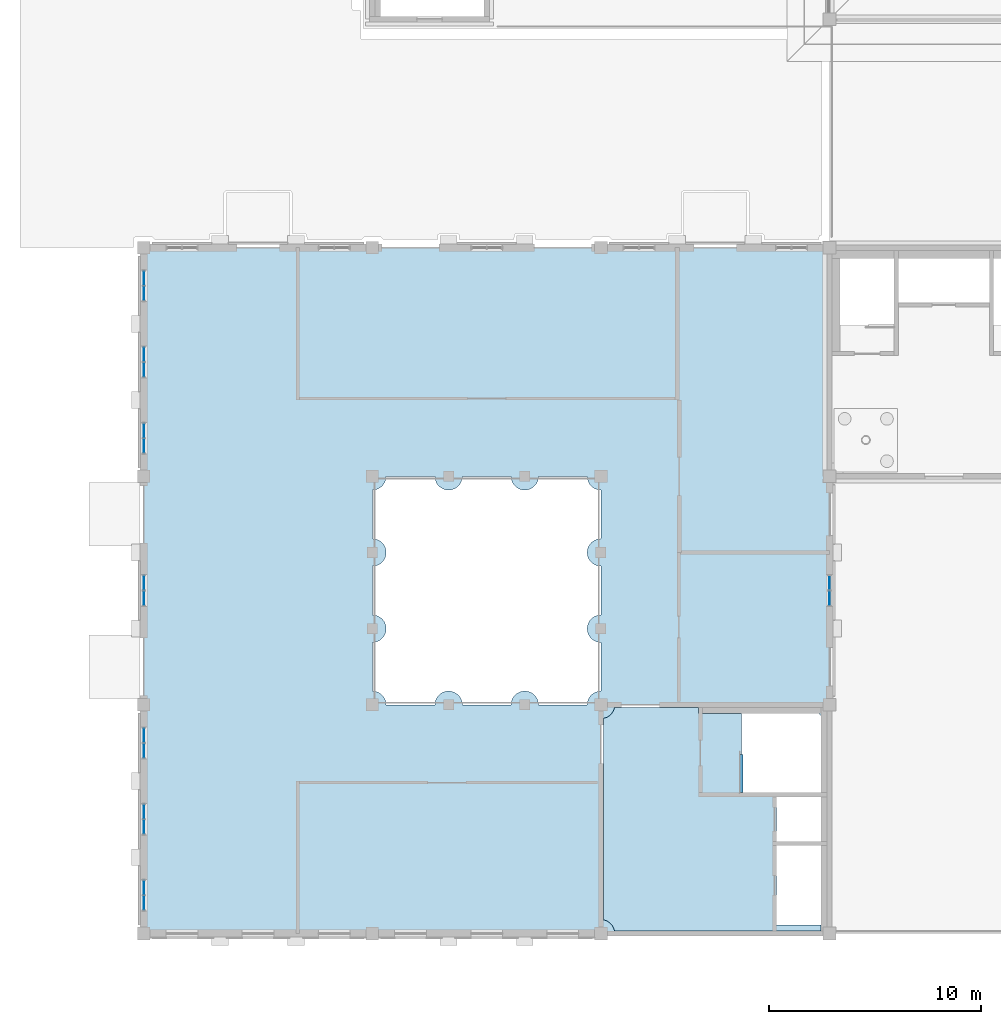
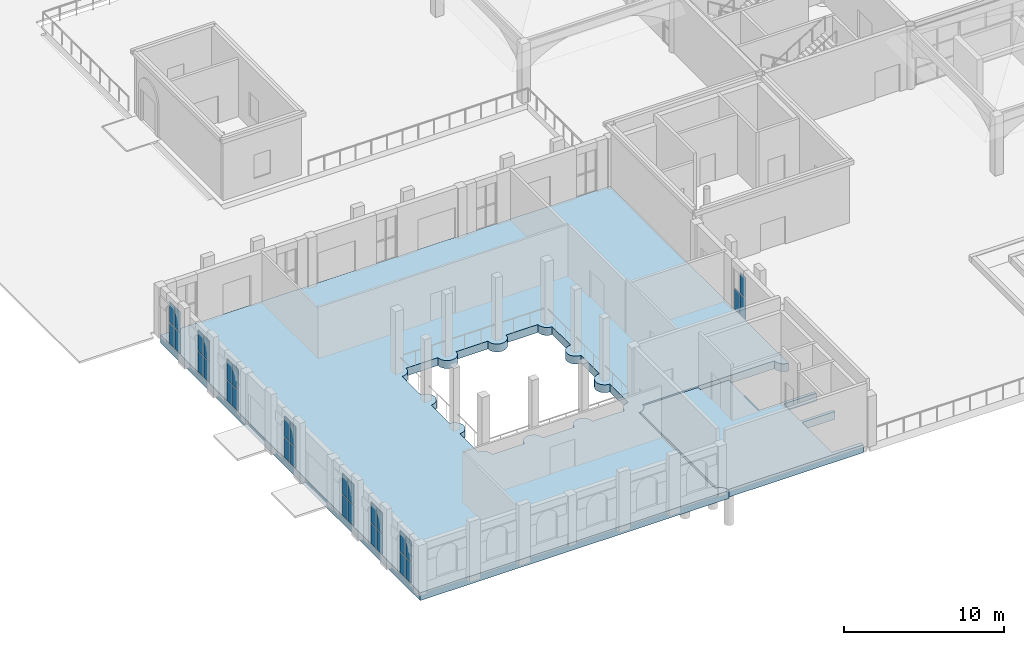
# One storey, part 32 of 91: 31 plates, 3 slabs, 8 elements without a shape of their own.
"""IFC4 building model written with IfcOpenShell, lengths in metres."""

from ifc_helpers import new_model, si_unit, direction, frame, origin, origin_2d, place, context, subcontext, project, spatial, polyline, rectangle, outline, extrude, material, layer, layer_set, type_object, element, aggregate, save


model = new_model("IFC4")

# Units and contexts
model_context = context("Model", 3, precision=1e-05, world=origin(), true_north=direction((0.0, 1.0)))
body_context = subcontext(model_context, "Body", "Model", "MODEL_VIEW")
ifc_project = project(units=[si_unit("LENGTHUNIT", "METRE"), si_unit("AREAUNIT", "SQUARE_METRE"), si_unit("VOLUMEUNIT", "CUBIC_METRE"), si_unit("PLANEANGLEUNIT", "RADIAN"), si_unit("MASSUNIT", "GRAM", prefix="KILO")], contexts=[model_context])

# Site, building, storey
site_placement = place(None, origin())
site = spatial("IfcSite", under=ifc_project, at=site_placement, CompositionType="ELEMENT")
building_placement = place(site_placement, origin())
building = spatial("IfcBuilding", under=site, at=building_placement, Name="Magnolia Steps Interchange", CompositionType="ELEMENT")
storey_placement = place(building_placement, origin())
storey = spatial("IfcBuildingStorey", under=building, at=storey_placement, Name="L00", CompositionType="ELEMENT", Elevation=0.0)

# Slabs
ifc_material_1 = material(Name="Concrete C35", Category="concrete")
ifc_layer_1 = layer(ifc_material_1, 0.199951171875)
ifc_layer_set_1 = layer_set([ifc_layer_1], Name="Core floor nib 200")
slab_type_1 = type_object("IfcSlabType", Name="Core floor nib 200", PredefinedType="FLOOR", material=ifc_layer_set_1)
slab_1_placement = place(storey_placement, frame((0.0, 0.0, -0.199951171875)))
element("IfcSlab", 1, at=slab_1_placement, inside=storey, type_object=slab_type_1, Name="L00 core floor nib HB1", PredefinedType="FLOOR", context=body_context, shape_type="SweptSolid", body=[
    extrude(outline(polyline([(38.179931640625, 18.449951171875), (38.300048828125, 18.449951171875), (38.300048828125, 16.64990234375), (38.179931640625, 16.64990234375), (38.179931640625, 18.449951171875)])), origin(), (0.0, 0.0, 1.0), 0.199951171875),
])
ifc_material_2 = material(Name="Concrete C35", Category="concrete")
ifc_layer_2 = layer(ifc_material_2, 0.60009765625)
ifc_layer_set_2 = layer_set([ifc_layer_2], Name="Core floor slab 600")
slab_type_2 = type_object("IfcSlabType", Name="Core floor slab 600", PredefinedType="FLOOR", material=ifc_layer_set_2)
slab_2_placement = place(storey_placement, frame((0.0, 0.0, -0.60009765625)))
element("IfcSlab", 2, at=slab_2_placement, inside=storey, type_object=slab_type_2, Name="L00 core floor HB1", PredefinedType="FLOOR", context=body_context, shape_type="SweptSolid", body=[
    extrude(outline(polyline([(31.72509765625, 20.162353515625), (31.726806640625, 20.16259765625), (31.788818359375, 20.177978515625), (31.8486328125, 20.199462890625), (31.906494140625, 20.226806640625), (31.961181640625, 20.259521484375), (32.012451171875, 20.297607421875), (32.0595703125, 20.34033203125), (32.1025390625, 20.3876953125), (32.140380859375, 20.43896484375), (32.173095703125, 20.49365234375), (32.200439453125, 20.55126953125), (32.221923828125, 20.611328125), (32.237548828125, 20.673095703125), (32.23779296875, 20.675048828125), (36.199951171875, 20.675048828125), (36.199951171875, 20.39990234375), (38.25, 20.39990234375), (38.25, 18.449951171875), (38.179931640625, 18.449951171875), (38.179931640625, 16.64990234375), (42.27490234375, 16.64990234375), (42.27490234375, 16.449951171875), (39.89990234375, 16.449951171875), (39.89990234375, 14.35009765625), (42.27490234375, 14.35009765625), (42.27490234375, 14.14990234375), (39.89990234375, 14.14990234375), (39.89990234375, 10.39990234375), (42.0, 10.39990234375), (42.0, 10.125), (32.23779296875, 10.125), (32.237548828125, 10.126708984375), (32.221923828125, 10.188720703125), (32.200439453125, 10.248779296875), (32.173095703125, 10.306396484375), (32.140380859375, 10.361083984375), (32.1025390625, 10.412353515625), (32.0595703125, 10.459716796875), (32.012451171875, 10.50244140625), (31.961181640625, 10.54052734375), (31.906494140625, 10.5732421875), (31.8486328125, 10.6005859375), (31.788818359375, 10.6220703125), (31.726806640625, 10.637451171875), (31.72509765625, 10.6376953125), (31.72509765625, 20.162353515625)])), origin(), (0.0, 0.0, 1.0), 0.60009765625),
])
ifc_material_3 = material(Name="Concrete C40", Category="concrete")
ifc_layer_3 = layer(ifc_material_3, 0.60009765625)
ifc_layer_set_3 = layer_set([ifc_layer_3], Name="Floor slab 600")
slab_type_3 = type_object("IfcSlabType", Name="Floor slab 600", PredefinedType="FLOOR", material=ifc_layer_set_3)
slab_3_placement = place(storey_placement, frame((0.0, 0.0, -0.60009765625)))
element("IfcSlab", 3, at=slab_3_placement, inside=storey, type_object=slab_type_3, Name="Cycle hub floor", PredefinedType="FLOOR", context=body_context, shape_type="SweptSolid", body=[
    extrude(outline(polyline([(32.25, 10.0), (32.246826171875, 10.063720703125), (32.237548828125, 10.126708984375), (32.221923828125, 10.188720703125), (32.200439453125, 10.248779296875), (32.173095703125, 10.306396484375), (32.140380859375, 10.361083984375), (32.1025390625, 10.412353515625), (32.0595703125, 10.459716796875), (32.012451171875, 10.50244140625), (31.961181640625, 10.54052734375), (31.906494140625, 10.5732421875), (31.8486328125, 10.6005859375), (31.788818359375, 10.6220703125), (31.726806640625, 10.637451171875), (31.663818359375, 10.64697265625), (31.60009765625, 10.64990234375), (31.60009765625, 20.14990234375), (31.663818359375, 20.153076171875), (31.726806640625, 20.16259765625), (31.788818359375, 20.177978515625), (31.8486328125, 20.199462890625), (31.906494140625, 20.226806640625), (31.961181640625, 20.259521484375), (32.012451171875, 20.297607421875), (32.0595703125, 20.34033203125), (32.1025390625, 20.3876953125), (32.140380859375, 20.43896484375), (32.173095703125, 20.49365234375), (32.200439453125, 20.55126953125), (32.221923828125, 20.611328125), (32.237548828125, 20.673095703125), (32.246826171875, 20.736328125), (32.25, 20.800048828125), (41.75, 20.800048828125), (41.753173828125, 20.736328125), (41.762451171875, 20.673095703125), (41.778076171875, 20.611328125), (41.799560546875, 20.55126953125), (41.826904296875, 20.49365234375), (41.859619140625, 20.43896484375), (41.8974609375, 20.3876953125), (41.9404296875, 20.34033203125), (41.987548828125, 20.297607421875), (42.038818359375, 20.259521484375), (42.093505859375, 20.226806640625), (42.1513671875, 20.199462890625), (42.211181640625, 20.177978515625), (42.273193359375, 20.16259765625), (42.336181640625, 20.153076171875), (42.39990234375, 20.14990234375), (42.39990234375, 42.39990234375), (10.0, 42.39990234375), (10.0, 10.0), (32.25, 10.0)]), holes=[polyline([(20.800048828125, 21.449951171875), (20.86376953125, 21.447021484375), (20.9267578125, 21.4375), (20.98876953125, 21.422119140625), (21.048583984375, 21.400390625), (21.1064453125, 21.373291015625), (21.1611328125, 21.340576171875), (21.21240234375, 21.302490234375), (21.259521484375, 21.259521484375), (21.302490234375, 21.21240234375), (21.340576171875, 21.1611328125), (21.373291015625, 21.1064453125), (21.400390625, 21.048583984375), (21.422119140625, 20.98876953125), (21.4375, 20.9267578125), (21.447021484375, 20.86376953125), (21.449951171875, 20.800048828125), (23.75, 20.800048828125), (23.753173828125, 20.86376953125), (23.762451171875, 20.9267578125), (23.778076171875, 20.98876953125), (23.799560546875, 21.048583984375), (23.826904296875, 21.1064453125), (23.859619140625, 21.1611328125), (23.8974609375, 21.21240234375), (23.9404296875, 21.259521484375), (23.987548828125, 21.302490234375), (24.038818359375, 21.340576171875), (24.093505859375, 21.373291015625), (24.1513671875, 21.400390625), (24.211181640625, 21.422119140625), (24.273193359375, 21.4375), (24.336181640625, 21.447021484375), (24.39990234375, 21.449951171875), (24.463623046875, 21.447021484375), (24.52685546875, 21.4375), (24.588623046875, 21.422119140625), (24.648681640625, 21.400390625), (24.706298828125, 21.373291015625), (24.760986328125, 21.340576171875), (24.8125, 21.302490234375), (24.859619140625, 21.259521484375), (24.902587890625, 21.21240234375), (24.9404296875, 21.1611328125), (24.97314453125, 21.1064453125), (25.00048828125, 21.048583984375), (25.02197265625, 20.98876953125), (25.03759765625, 20.9267578125), (25.046875, 20.86376953125), (25.050048828125, 20.800048828125), (27.35009765625, 20.800048828125), (27.35302734375, 20.86376953125), (27.362548828125, 20.9267578125), (27.3779296875, 20.98876953125), (27.3994140625, 21.048583984375), (27.4267578125, 21.1064453125), (27.45947265625, 21.1611328125), (27.49755859375, 21.21240234375), (27.540283203125, 21.259521484375), (27.587646484375, 21.302490234375), (27.638916015625, 21.340576171875), (27.693603515625, 21.373291015625), (27.751220703125, 21.400390625), (27.811279296875, 21.422119140625), (27.873291015625, 21.4375), (27.936279296875, 21.447021484375), (28.0, 21.449951171875), (28.063720703125, 21.447021484375), (28.126708984375, 21.4375), (28.188720703125, 21.422119140625), (28.248779296875, 21.400390625), (28.306396484375, 21.373291015625), (28.361083984375, 21.340576171875), (28.412353515625, 21.302490234375), (28.459716796875, 21.259521484375), (28.50244140625, 21.21240234375), (28.54052734375, 21.1611328125), (28.5732421875, 21.1064453125), (28.6005859375, 21.048583984375), (28.6220703125, 20.98876953125), (28.637451171875, 20.9267578125), (28.64697265625, 20.86376953125), (28.64990234375, 20.800048828125), (30.949951171875, 20.800048828125), (30.953125, 20.86376953125), (30.96240234375, 20.9267578125), (30.97802734375, 20.98876953125), (30.99951171875, 21.048583984375), (31.02685546875, 21.1064453125), (31.0595703125, 21.1611328125), (31.097412109375, 21.21240234375), (31.140380859375, 21.259521484375), (31.1875, 21.302490234375), (31.239013671875, 21.340576171875), (31.293701171875, 21.373291015625), (31.351318359375, 21.400390625), (31.411376953125, 21.422119140625), (31.47314453125, 21.4375), (31.536376953125, 21.447021484375), (31.60009765625, 21.449951171875), (31.60009765625, 23.75), (31.536376953125, 23.753173828125), (31.47314453125, 23.762451171875), (31.411376953125, 23.778076171875), (31.351318359375, 23.799560546875), (31.293701171875, 23.826904296875), (31.239013671875, 23.859619140625), (31.1875, 23.8974609375), (31.140380859375, 23.9404296875), (31.097412109375, 23.987548828125), (31.0595703125, 24.038818359375), (31.02685546875, 24.093505859375), (30.99951171875, 24.1513671875), (30.97802734375, 24.211181640625), (30.96240234375, 24.273193359375), (30.953125, 24.336181640625), (30.949951171875, 24.39990234375), (30.953125, 24.463623046875), (30.96240234375, 24.52685546875), (30.97802734375, 24.588623046875), (30.99951171875, 24.648681640625), (31.02685546875, 24.706298828125), (31.0595703125, 24.760986328125), (31.097412109375, 24.8125), (31.140380859375, 24.859619140625), (31.1875, 24.902587890625), (31.239013671875, 24.9404296875), (31.293701171875, 24.97314453125), (31.351318359375, 25.00048828125), (31.411376953125, 25.02197265625), (31.47314453125, 25.03759765625), (31.536376953125, 25.046875), (31.60009765625, 25.050048828125), (31.60009765625, 27.35009765625), (31.536376953125, 27.35302734375), (31.47314453125, 27.362548828125), (31.411376953125, 27.3779296875), (31.351318359375, 27.3994140625), (31.293701171875, 27.4267578125), (31.239013671875, 27.45947265625), (31.1875, 27.49755859375), (31.140380859375, 27.540283203125), (31.097412109375, 27.587646484375), (31.0595703125, 27.638916015625), (31.02685546875, 27.693603515625), (30.99951171875, 27.751220703125), (30.97802734375, 27.811279296875), (30.96240234375, 27.873291015625), (30.953125, 27.936279296875), (30.949951171875, 28.0), (30.953125, 28.063720703125), (30.96240234375, 28.126708984375), (30.97802734375, 28.188720703125), (30.99951171875, 28.248779296875), (31.02685546875, 28.306396484375), (31.0595703125, 28.361083984375), (31.097412109375, 28.412353515625), (31.140380859375, 28.459716796875), (31.1875, 28.50244140625), (31.239013671875, 28.54052734375), (31.293701171875, 28.5732421875), (31.351318359375, 28.6005859375), (31.411376953125, 28.6220703125), (31.47314453125, 28.637451171875), (31.536376953125, 28.64697265625), (31.60009765625, 28.64990234375), (31.60009765625, 30.949951171875), (31.536376953125, 30.953125), (31.47314453125, 30.96240234375), (31.411376953125, 30.97802734375), (31.351318359375, 30.99951171875), (31.293701171875, 31.02685546875), (31.239013671875, 31.0595703125), (31.1875, 31.097412109375), (31.140380859375, 31.140380859375), (31.097412109375, 31.1875), (31.0595703125, 31.239013671875), (31.02685546875, 31.293701171875), (30.99951171875, 31.351318359375), (30.97802734375, 31.411376953125), (30.96240234375, 31.47314453125), (30.953125, 31.536376953125), (30.949951171875, 31.60009765625), (28.64990234375, 31.60009765625), (28.64697265625, 31.536376953125), (28.637451171875, 31.47314453125), (28.6220703125, 31.411376953125), (28.6005859375, 31.351318359375), (28.5732421875, 31.293701171875), (28.54052734375, 31.239013671875), (28.50244140625, 31.1875), (28.459716796875, 31.140380859375), (28.412353515625, 31.097412109375), (28.361083984375, 31.0595703125), (28.306396484375, 31.02685546875), (28.248779296875, 30.99951171875), (28.188720703125, 30.97802734375), (28.126708984375, 30.96240234375), (28.063720703125, 30.953125), (28.0, 30.949951171875), (27.936279296875, 30.953125), (27.873291015625, 30.96240234375), (27.811279296875, 30.97802734375), (27.751220703125, 30.99951171875), (27.693603515625, 31.02685546875), (27.638916015625, 31.0595703125), (27.587646484375, 31.097412109375), (27.540283203125, 31.140380859375), (27.49755859375, 31.1875), (27.45947265625, 31.239013671875), (27.4267578125, 31.293701171875), (27.3994140625, 31.351318359375), (27.3779296875, 31.411376953125), (27.362548828125, 31.47314453125), (27.35302734375, 31.536376953125), (27.35009765625, 31.60009765625), (25.050048828125, 31.60009765625), (25.046875, 31.536376953125), (25.03759765625, 31.47314453125), (25.02197265625, 31.411376953125), (25.00048828125, 31.351318359375), (24.97314453125, 31.293701171875), (24.9404296875, 31.239013671875), (24.902587890625, 31.1875), (24.859619140625, 31.140380859375), (24.8125, 31.097412109375), (24.760986328125, 31.0595703125), (24.706298828125, 31.02685546875), (24.648681640625, 30.99951171875), (24.588623046875, 30.97802734375), (24.52685546875, 30.96240234375), (24.463623046875, 30.953125), (24.39990234375, 30.949951171875), (24.336181640625, 30.953125), (24.273193359375, 30.96240234375), (24.211181640625, 30.97802734375), (24.1513671875, 30.99951171875), (24.093505859375, 31.02685546875), (24.038818359375, 31.0595703125), (23.987548828125, 31.097412109375), (23.9404296875, 31.140380859375), (23.8974609375, 31.1875), (23.859619140625, 31.239013671875), (23.826904296875, 31.293701171875), (23.799560546875, 31.351318359375), (23.778076171875, 31.411376953125), (23.762451171875, 31.47314453125), (23.753173828125, 31.536376953125), (23.75, 31.60009765625), (21.449951171875, 31.60009765625), (21.447021484375, 31.536376953125), (21.4375, 31.47314453125), (21.422119140625, 31.411376953125), (21.400390625, 31.351318359375), (21.373291015625, 31.293701171875), (21.340576171875, 31.239013671875), (21.302490234375, 31.1875), (21.259521484375, 31.140380859375), (21.21240234375, 31.097412109375), (21.1611328125, 31.0595703125), (21.1064453125, 31.02685546875), (21.048583984375, 30.99951171875), (20.98876953125, 30.97802734375), (20.9267578125, 30.96240234375), (20.86376953125, 30.953125), (20.800048828125, 30.949951171875), (20.800048828125, 28.64990234375), (20.86376953125, 28.64697265625), (20.9267578125, 28.637451171875), (20.98876953125, 28.6220703125), (21.048583984375, 28.6005859375), (21.1064453125, 28.5732421875), (21.1611328125, 28.54052734375), (21.21240234375, 28.50244140625), (21.259521484375, 28.459716796875), (21.302490234375, 28.412353515625), (21.340576171875, 28.361083984375), (21.373291015625, 28.306396484375), (21.400390625, 28.248779296875), (21.422119140625, 28.188720703125), (21.4375, 28.126708984375), (21.447021484375, 28.063720703125), (21.449951171875, 28.0), (21.447021484375, 27.936279296875), (21.4375, 27.873291015625), (21.422119140625, 27.811279296875), (21.400390625, 27.751220703125), (21.373291015625, 27.693603515625), (21.340576171875, 27.638916015625), (21.302490234375, 27.587646484375), (21.259521484375, 27.540283203125), (21.21240234375, 27.49755859375), (21.1611328125, 27.45947265625), (21.1064453125, 27.4267578125), (21.048583984375, 27.3994140625), (20.98876953125, 27.3779296875), (20.9267578125, 27.362548828125), (20.86376953125, 27.35302734375), (20.800048828125, 27.35009765625), (20.800048828125, 25.050048828125), (20.86376953125, 25.046875), (20.9267578125, 25.03759765625), (20.98876953125, 25.02197265625), (21.048583984375, 25.00048828125), (21.1064453125, 24.97314453125), (21.1611328125, 24.9404296875), (21.21240234375, 24.902587890625), (21.259521484375, 24.859619140625), (21.302490234375, 24.8125), (21.340576171875, 24.760986328125), (21.373291015625, 24.706298828125), (21.400390625, 24.648681640625), (21.422119140625, 24.588623046875), (21.4375, 24.52685546875), (21.447021484375, 24.463623046875), (21.449951171875, 24.39990234375), (21.447021484375, 24.336181640625), (21.4375, 24.273193359375), (21.422119140625, 24.211181640625), (21.400390625, 24.1513671875), (21.373291015625, 24.093505859375), (21.340576171875, 24.038818359375), (21.302490234375, 23.987548828125), (21.259521484375, 23.9404296875), (21.21240234375, 23.8974609375), (21.1611328125, 23.859619140625), (21.1064453125, 23.826904296875), (21.048583984375, 23.799560546875), (20.98876953125, 23.778076171875), (20.9267578125, 23.762451171875), (20.86376953125, 23.753173828125), (20.800048828125, 23.75), (20.800048828125, 21.449951171875)])]), origin(), (0.0, 0.0, 1.0), 0.60009765625),
])

# Curtain wall, plates
ifc_material_4 = material(Name="Timber-framed glazing", Category="wood")
ifc_layer_4 = layer(ifc_material_4, 0.139892578125)
ifc_layer_set_4 = layer_set([ifc_layer_4], Name="Cycle hub shopfront curtain wall")
curtain_wall_type = type_object("IfcCurtainWallType", Name="Cycle hub shopfront curtain wall", PredefinedType="NOTDEFINED", material=ifc_layer_set_4)
curtain_wall_1_placement = place(storey_placement, origin())
curtain_wall_1 = element("IfcCurtainWall", 4, at=curtain_wall_1_placement, inside=storey, type_object=curtain_wall_type, Name="Cycle hub west wall L00 glazing 2", PredefinedType="NOTDEFINED")
ifc_material_5 = material(Name="Laminated glass", Category="glass")
ifc_layer_5 = layer(ifc_material_5, 0.028076171875)
ifc_layer_set_5 = layer_set([ifc_layer_5], Name="Glass panel 28")
plate_type = type_object("IfcPlateType", Name="Glass panel 28", PredefinedType="CURTAIN_PANEL", material=ifc_layer_set_5)
plate_1_placement = place(storey_placement, frame((10.0, 11.43994140625, 0.06005859375), z_axis=(0.0, 0.0, 1.0), x_axis=(0.0, 1.0, 0.0)))
plate_1 = element("IfcPlate", 5, at=plate_1_placement, type_object=plate_type, Name="CW7 panel 1.1", PredefinedType="CURTAIN_PANEL", context=body_context, shape_type="SweptSolid", body=[
    extrude(rectangle(XDim=0.659912109375, YDim=0.028076171875, at=origin_2d()), origin(), (0.0, 0.0, 1.0), 1.56005859375),
])
plate_2_placement = place(storey_placement, frame((10.0, 11.43994140625, 1.679931640625), z_axis=(0.0, 0.0, 1.0), x_axis=(0.0, 1.0, 0.0)))
plate_2 = element("IfcPlate", 6, at=plate_2_placement, type_object=plate_type, Name="CW7 panel 1.2", PredefinedType="CURTAIN_PANEL", context=body_context, shape_type="SweptSolid", body=[
    extrude(rectangle(XDim=0.659912109375, YDim=0.028076171875, at=origin_2d()), origin(), (0.0, 0.0, 1.0), 1.56005859375),
])
plate_3_placement = place(storey_placement, frame((10.0, 12.159912109375, 0.06005859375), z_axis=(0.0, 0.0, 1.0), x_axis=(0.0, 1.0, 0.0)))
plate_3 = element("IfcPlate", 7, at=plate_3_placement, type_object=plate_type, Name="CW7 panel 2.1", PredefinedType="CURTAIN_PANEL", context=body_context, shape_type="SweptSolid", body=[
    extrude(rectangle(XDim=0.659912109375, YDim=0.028076171875, at=origin_2d()), origin(), (0.0, 0.0, 1.0), 1.56005859375),
])
plate_4_placement = place(storey_placement, frame((10.0, 12.159912109375, 1.679931640625), z_axis=(0.0, 0.0, 1.0), x_axis=(0.0, 1.0, 0.0)))
plate_4 = element("IfcPlate", 8, at=plate_4_placement, type_object=plate_type, Name="CW7 panel 2.2", PredefinedType="CURTAIN_PANEL", context=body_context, shape_type="SweptSolid", body=[
    extrude(rectangle(XDim=0.659912109375, YDim=0.028076171875, at=origin_2d()), origin(), (0.0, 0.0, 1.0), 1.56005859375),
])
aggregate(curtain_wall_1, [plate_1, plate_2, plate_3, plate_4])

curtain_wall_2_placement = place(storey_placement, origin())
curtain_wall_2 = element("IfcCurtainWall", 9, at=curtain_wall_2_placement, inside=storey, type_object=curtain_wall_type, Name="Cycle hub west wall L00 glazing 4", PredefinedType="NOTDEFINED")
plate_5_placement = place(storey_placement, frame((10.0, 15.0400390625, 0.06005859375), z_axis=(0.0, 0.0, 1.0), x_axis=(0.0, 1.0, 0.0)))
plate_5 = element("IfcPlate", 10, at=plate_5_placement, type_object=plate_type, Name="CW7 panel 1.1", PredefinedType="CURTAIN_PANEL", context=body_context, shape_type="SweptSolid", body=[
    extrude(rectangle(XDim=0.659912109375, YDim=0.028076171875, at=origin_2d()), origin(), (0.0, 0.0, 1.0), 1.56005859375),
])
plate_6_placement = place(storey_placement, frame((10.0, 15.0400390625, 1.679931640625), z_axis=(0.0, 0.0, 1.0), x_axis=(0.0, 1.0, 0.0)))
plate_6 = element("IfcPlate", 11, at=plate_6_placement, type_object=plate_type, Name="CW7 panel 1.2", PredefinedType="CURTAIN_PANEL", context=body_context, shape_type="SweptSolid", body=[
    extrude(rectangle(XDim=0.659912109375, YDim=0.028076171875, at=origin_2d()), origin(), (0.0, 0.0, 1.0), 1.56005859375),
])
plate_7_placement = place(storey_placement, frame((10.0, 15.760009765625, 0.06005859375), z_axis=(0.0, 0.0, 1.0), x_axis=(0.0, 1.0, 0.0)))
plate_7 = element("IfcPlate", 12, at=plate_7_placement, type_object=plate_type, Name="CW7 panel 2.1", PredefinedType="CURTAIN_PANEL", context=body_context, shape_type="SweptSolid", body=[
    extrude(rectangle(XDim=0.659912109375, YDim=0.028076171875, at=origin_2d()), origin(), (0.0, 0.0, 1.0), 1.56005859375),
])
plate_8_placement = place(storey_placement, frame((10.0, 15.760009765625, 1.679931640625), z_axis=(0.0, 0.0, 1.0), x_axis=(0.0, 1.0, 0.0)))
plate_8 = element("IfcPlate", 13, at=plate_8_placement, type_object=plate_type, Name="CW7 panel 2.2", PredefinedType="CURTAIN_PANEL", context=body_context, shape_type="SweptSolid", body=[
    extrude(rectangle(XDim=0.659912109375, YDim=0.028076171875, at=origin_2d()), origin(), (0.0, 0.0, 1.0), 1.56005859375),
])
aggregate(curtain_wall_2, [plate_5, plate_6, plate_7, plate_8])

curtain_wall_3_placement = place(storey_placement, origin())
curtain_wall_3 = element("IfcCurtainWall", 14, at=curtain_wall_3_placement, inside=storey, type_object=curtain_wall_type, Name="Cycle hub west wall L00 glazing 6", PredefinedType="NOTDEFINED")
plate_9_placement = place(storey_placement, frame((10.0, 18.639892578125, 0.06005859375), z_axis=(0.0, 0.0, 1.0), x_axis=(0.0, 1.0, 0.0)))
plate_9 = element("IfcPlate", 15, at=plate_9_placement, type_object=plate_type, Name="CW7 panel 1.1", PredefinedType="CURTAIN_PANEL", context=body_context, shape_type="SweptSolid", body=[
    extrude(rectangle(XDim=0.659912109375, YDim=0.028076171875, at=origin_2d()), origin(), (0.0, 0.0, 1.0), 1.56005859375),
])
plate_10_placement = place(storey_placement, frame((10.0, 18.639892578125, 1.679931640625), z_axis=(0.0, 0.0, 1.0), x_axis=(0.0, 1.0, 0.0)))
plate_10 = element("IfcPlate", 16, at=plate_10_placement, type_object=plate_type, Name="CW7 panel 1.2", PredefinedType="CURTAIN_PANEL", context=body_context, shape_type="SweptSolid", body=[
    extrude(rectangle(XDim=0.659912109375, YDim=0.028076171875, at=origin_2d()), origin(), (0.0, 0.0, 1.0), 1.56005859375),
])
plate_11_placement = place(storey_placement, frame((10.0, 19.360107421875, 0.06005859375), z_axis=(0.0, 0.0, 1.0), x_axis=(0.0, 1.0, 0.0)))
plate_11 = element("IfcPlate", 17, at=plate_11_placement, type_object=plate_type, Name="CW7 panel 2.1", PredefinedType="CURTAIN_PANEL", context=body_context, shape_type="SweptSolid", body=[
    extrude(rectangle(XDim=0.659912109375, YDim=0.028076171875, at=origin_2d()), origin(), (0.0, 0.0, 1.0), 1.56005859375),
])
plate_12_placement = place(storey_placement, frame((10.0, 19.360107421875, 1.679931640625), z_axis=(0.0, 0.0, 1.0), x_axis=(0.0, 1.0, 0.0)))
plate_12 = element("IfcPlate", 18, at=plate_12_placement, type_object=plate_type, Name="CW7 panel 2.2", PredefinedType="CURTAIN_PANEL", context=body_context, shape_type="SweptSolid", body=[
    extrude(rectangle(XDim=0.659912109375, YDim=0.028076171875, at=origin_2d()), origin(), (0.0, 0.0, 1.0), 1.56005859375),
])
aggregate(curtain_wall_3, [plate_9, plate_10, plate_11, plate_12])

curtain_wall_4_placement = place(storey_placement, origin())
curtain_wall_4 = element("IfcCurtainWall", 19, at=curtain_wall_4_placement, inside=storey, type_object=curtain_wall_type, Name="Cycle hub west wall L00 glazing 8", PredefinedType="NOTDEFINED")
plate_13_placement = place(storey_placement, frame((10.0, 25.840087890625, 0.06005859375), z_axis=(0.0, 0.0, 1.0), x_axis=(0.0, 1.0, 0.0)))
plate_13 = element("IfcPlate", 20, at=plate_13_placement, type_object=plate_type, Name="CW7 panel 1.1", PredefinedType="CURTAIN_PANEL", context=body_context, shape_type="SweptSolid", body=[
    extrude(rectangle(XDim=0.659912109375, YDim=0.028076171875, at=origin_2d()), origin(), (0.0, 0.0, 1.0), 1.56005859375),
])
plate_14_placement = place(storey_placement, frame((10.0, 25.840087890625, 1.679931640625), z_axis=(0.0, 0.0, 1.0), x_axis=(0.0, 1.0, 0.0)))
plate_14 = element("IfcPlate", 21, at=plate_14_placement, type_object=plate_type, Name="CW7 panel 1.2", PredefinedType="CURTAIN_PANEL", context=body_context, shape_type="SweptSolid", body=[
    extrude(rectangle(XDim=0.659912109375, YDim=0.028076171875, at=origin_2d()), origin(), (0.0, 0.0, 1.0), 1.56005859375),
])
plate_15_placement = place(storey_placement, frame((10.0, 26.56005859375, 0.06005859375), z_axis=(0.0, 0.0, 1.0), x_axis=(0.0, 1.0, 0.0)))
plate_15 = element("IfcPlate", 22, at=plate_15_placement, type_object=plate_type, Name="CW7 panel 2.1", PredefinedType="CURTAIN_PANEL", context=body_context, shape_type="SweptSolid", body=[
    extrude(rectangle(XDim=0.659912109375, YDim=0.028076171875, at=origin_2d()), origin(), (0.0, 0.0, 1.0), 1.56005859375),
])
plate_16_placement = place(storey_placement, frame((10.0, 26.56005859375, 1.679931640625), z_axis=(0.0, 0.0, 1.0), x_axis=(0.0, 1.0, 0.0)))
plate_16 = element("IfcPlate", 23, at=plate_16_placement, type_object=plate_type, Name="CW7 panel 2.2", PredefinedType="CURTAIN_PANEL", context=body_context, shape_type="SweptSolid", body=[
    extrude(rectangle(XDim=0.659912109375, YDim=0.028076171875, at=origin_2d()), origin(), (0.0, 0.0, 1.0), 1.56005859375),
])
aggregate(curtain_wall_4, [plate_13, plate_14, plate_15, plate_16])

curtain_wall_5_placement = place(storey_placement, origin())
curtain_wall_5 = element("IfcCurtainWall", 24, at=curtain_wall_5_placement, inside=storey, type_object=curtain_wall_type, Name="Cycle hub west wall L00 glazing 10", PredefinedType="NOTDEFINED")
plate_17_placement = place(storey_placement, frame((10.0, 33.0400390625, 0.06005859375), z_axis=(0.0, 0.0, 1.0), x_axis=(0.0, 1.0, 0.0)))
plate_17 = element("IfcPlate", 25, at=plate_17_placement, type_object=plate_type, Name="CW7 panel 1.1", PredefinedType="CURTAIN_PANEL", context=body_context, shape_type="SweptSolid", body=[
    extrude(rectangle(XDim=0.659912109375, YDim=0.028076171875, at=origin_2d()), origin(), (0.0, 0.0, 1.0), 1.56005859375),
])
plate_18_placement = place(storey_placement, frame((10.0, 33.0400390625, 1.679931640625), z_axis=(0.0, 0.0, 1.0), x_axis=(0.0, 1.0, 0.0)))
plate_18 = element("IfcPlate", 26, at=plate_18_placement, type_object=plate_type, Name="CW7 panel 1.2", PredefinedType="CURTAIN_PANEL", context=body_context, shape_type="SweptSolid", body=[
    extrude(rectangle(XDim=0.659912109375, YDim=0.028076171875, at=origin_2d()), origin(), (0.0, 0.0, 1.0), 1.56005859375),
])
plate_19_placement = place(storey_placement, frame((10.0, 33.760009765625, 0.06005859375), z_axis=(0.0, 0.0, 1.0), x_axis=(0.0, 1.0, 0.0)))
plate_19 = element("IfcPlate", 27, at=plate_19_placement, type_object=plate_type, Name="CW7 panel 2.1", PredefinedType="CURTAIN_PANEL", context=body_context, shape_type="SweptSolid", body=[
    extrude(rectangle(XDim=0.659912109375, YDim=0.028076171875, at=origin_2d()), origin(), (0.0, 0.0, 1.0), 1.56005859375),
])
plate_20_placement = place(storey_placement, frame((10.0, 33.760009765625, 1.679931640625), z_axis=(0.0, 0.0, 1.0), x_axis=(0.0, 1.0, 0.0)))
plate_20 = element("IfcPlate", 28, at=plate_20_placement, type_object=plate_type, Name="CW7 panel 2.2", PredefinedType="CURTAIN_PANEL", context=body_context, shape_type="SweptSolid", body=[
    extrude(rectangle(XDim=0.659912109375, YDim=0.028076171875, at=origin_2d()), origin(), (0.0, 0.0, 1.0), 1.56005859375),
])
aggregate(curtain_wall_5, [plate_17, plate_18, plate_19, plate_20])

curtain_wall_6_placement = place(storey_placement, origin())
curtain_wall_6 = element("IfcCurtainWall", 29, at=curtain_wall_6_placement, inside=storey, type_object=curtain_wall_type, Name="Cycle hub west wall L00 glazing 12", PredefinedType="NOTDEFINED")
plate_21_placement = place(storey_placement, frame((10.0, 36.639892578125, 0.06005859375), z_axis=(0.0, 0.0, 1.0), x_axis=(0.0, 1.0, 0.0)))
plate_21 = element("IfcPlate", 30, at=plate_21_placement, type_object=plate_type, Name="CW7 panel 1.1", PredefinedType="CURTAIN_PANEL", context=body_context, shape_type="SweptSolid", body=[
    extrude(rectangle(XDim=0.659912109375, YDim=0.028076171875, at=origin_2d()), origin(), (0.0, 0.0, 1.0), 1.56005859375),
])
plate_22_placement = place(storey_placement, frame((10.0, 36.639892578125, 1.679931640625), z_axis=(0.0, 0.0, 1.0), x_axis=(0.0, 1.0, 0.0)))
plate_22 = element("IfcPlate", 31, at=plate_22_placement, type_object=plate_type, Name="CW7 panel 1.2", PredefinedType="CURTAIN_PANEL", context=body_context, shape_type="SweptSolid", body=[
    extrude(rectangle(XDim=0.659912109375, YDim=0.028076171875, at=origin_2d()), origin(), (0.0, 0.0, 1.0), 1.56005859375),
])
plate_23_placement = place(storey_placement, frame((10.0, 37.360107421875, 0.06005859375), z_axis=(0.0, 0.0, 1.0), x_axis=(0.0, 1.0, 0.0)))
plate_23 = element("IfcPlate", 32, at=plate_23_placement, type_object=plate_type, Name="CW7 panel 2.1", PredefinedType="CURTAIN_PANEL", context=body_context, shape_type="SweptSolid", body=[
    extrude(rectangle(XDim=0.659912109375, YDim=0.028076171875, at=origin_2d()), origin(), (0.0, 0.0, 1.0), 1.56005859375),
])
plate_24_placement = place(storey_placement, frame((10.0, 37.360107421875, 1.679931640625), z_axis=(0.0, 0.0, 1.0), x_axis=(0.0, 1.0, 0.0)))
plate_24 = element("IfcPlate", 33, at=plate_24_placement, type_object=plate_type, Name="CW7 panel 2.2", PredefinedType="CURTAIN_PANEL", context=body_context, shape_type="SweptSolid", body=[
    extrude(rectangle(XDim=0.659912109375, YDim=0.028076171875, at=origin_2d()), origin(), (0.0, 0.0, 1.0), 1.56005859375),
])
aggregate(curtain_wall_6, [plate_21, plate_22, plate_23, plate_24])

curtain_wall_7_placement = place(storey_placement, origin())
curtain_wall_7 = element("IfcCurtainWall", 34, at=curtain_wall_7_placement, inside=storey, type_object=curtain_wall_type, Name="Cycle hub west wall L00 glazing 14", PredefinedType="NOTDEFINED")
plate_25_placement = place(storey_placement, frame((10.0, 40.239990234375, 0.06005859375), z_axis=(0.0, 0.0, 1.0), x_axis=(0.0, 1.0, 0.0)))
plate_25 = element("IfcPlate", 35, at=plate_25_placement, type_object=plate_type, Name="CW7 panel 1.1", PredefinedType="CURTAIN_PANEL", context=body_context, shape_type="SweptSolid", body=[
    extrude(rectangle(XDim=0.659912109375, YDim=0.028076171875, at=origin_2d()), origin(), (0.0, 0.0, 1.0), 1.56005859375),
])
plate_26_placement = place(storey_placement, frame((10.0, 40.239990234375, 1.679931640625), z_axis=(0.0, 0.0, 1.0), x_axis=(0.0, 1.0, 0.0)))
plate_26 = element("IfcPlate", 36, at=plate_26_placement, type_object=plate_type, Name="CW7 panel 1.2", PredefinedType="CURTAIN_PANEL", context=body_context, shape_type="SweptSolid", body=[
    extrude(rectangle(XDim=0.659912109375, YDim=0.028076171875, at=origin_2d()), origin(), (0.0, 0.0, 1.0), 1.56005859375),
])
plate_27_placement = place(storey_placement, frame((10.0, 40.9599609375, 0.06005859375), z_axis=(0.0, 0.0, 1.0), x_axis=(0.0, 1.0, 0.0)))
plate_27 = element("IfcPlate", 37, at=plate_27_placement, type_object=plate_type, Name="CW7 panel 2.1", PredefinedType="CURTAIN_PANEL", context=body_context, shape_type="SweptSolid", body=[
    extrude(rectangle(XDim=0.659912109375, YDim=0.028076171875, at=origin_2d()), origin(), (0.0, 0.0, 1.0), 1.56005859375),
])
plate_28_placement = place(storey_placement, frame((10.0, 40.9599609375, 1.679931640625), z_axis=(0.0, 0.0, 1.0), x_axis=(0.0, 1.0, 0.0)))
plate_28 = element("IfcPlate", 38, at=plate_28_placement, type_object=plate_type, Name="CW7 panel 2.2", PredefinedType="CURTAIN_PANEL", context=body_context, shape_type="SweptSolid", body=[
    extrude(rectangle(XDim=0.659912109375, YDim=0.028076171875, at=origin_2d()), origin(), (0.0, 0.0, 1.0), 1.56005859375),
])
aggregate(curtain_wall_7, [plate_25, plate_26, plate_27, plate_28])

curtain_wall_8_placement = place(storey_placement, origin())
curtain_wall_8 = element("IfcCurtainWall", 39, at=curtain_wall_8_placement, inside=storey, type_object=curtain_wall_type, Name="Cycle hub east wall L00 glazing 2", PredefinedType="NOTDEFINED")
plate_29_placement = place(storey_placement, frame((42.39990234375, 25.840087890625, 0.06005859375), z_axis=(0.0, 0.0, 1.0), x_axis=(0.0, 1.0, 0.0)))
plate_29 = element("IfcPlate", 40, at=plate_29_placement, type_object=plate_type, Name="CW7 panel 1.1", PredefinedType="CURTAIN_PANEL", context=body_context, shape_type="SweptSolid", body=[
    extrude(rectangle(XDim=0.659912109375, YDim=0.028076171875, at=origin_2d()), origin(), (0.0, 0.0, 1.0), 1.56005859375),
])
plate_30_placement = place(storey_placement, frame((42.39990234375, 25.840087890625, 1.679931640625), z_axis=(0.0, 0.0, 1.0), x_axis=(0.0, 1.0, 0.0)))
plate_30 = element("IfcPlate", 41, at=plate_30_placement, type_object=plate_type, Name="CW7 panel 1.2", PredefinedType="CURTAIN_PANEL", context=body_context, shape_type="SweptSolid", body=[
    extrude(rectangle(XDim=0.659912109375, YDim=0.028076171875, at=origin_2d()), origin(), (0.0, 0.0, 1.0), 1.56005859375),
])
plate_31_placement = place(storey_placement, frame((42.39990234375, 26.56005859375, 0.06005859375), z_axis=(0.0, 0.0, 1.0), x_axis=(0.0, 1.0, 0.0)))
plate_31 = element("IfcPlate", 42, at=plate_31_placement, type_object=plate_type, Name="CW7 panel 2.1", PredefinedType="CURTAIN_PANEL", context=body_context, shape_type="SweptSolid", body=[
    extrude(rectangle(XDim=0.659912109375, YDim=0.028076171875, at=origin_2d()), origin(), (0.0, 0.0, 1.0), 1.56005859375),
])
aggregate(curtain_wall_8, [plate_29, plate_30, plate_31])

save(model, "model.ifc")
